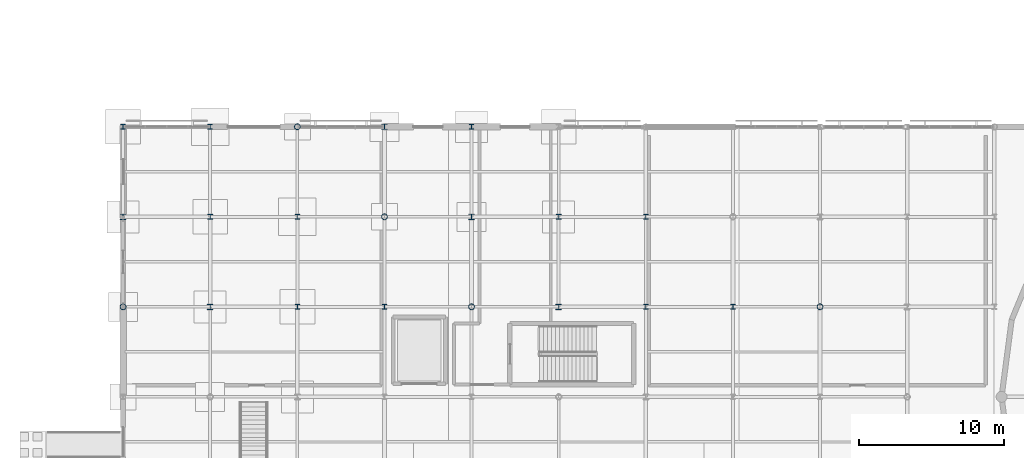
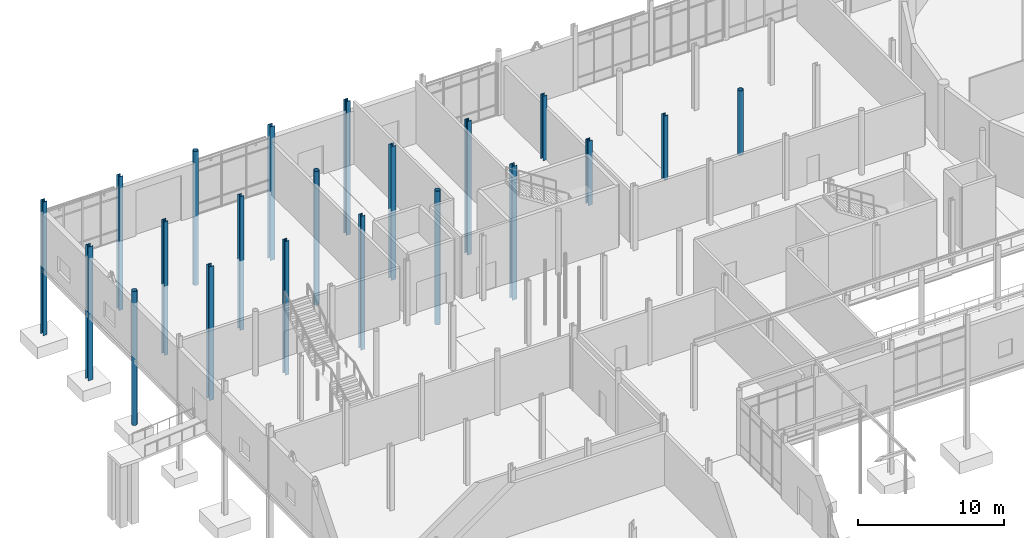
# One storey, part 15 of 98: 21 columns.
"""IFC4 building model written with IfcOpenShell, lengths in metres."""

import ifcopenshell
import ifcopenshell.guid

model = None  # the IFC model being written
_history = None  # IfcOwnerHistory: only IFC2X3 demands one
_inside = {}  # id of a spatial element -> (the spatial element, [elements in it])
_under = {}  # id of a project, library or spatial element -> (it, [spatial elements below it])
_declared = {}  # id of a project -> (the project, [libraries it declares])
_typed = {}  # id of a type object -> (the type object, [elements of that type])
_made_of = {}  # id of a material, layer set ... -> (it, [elements and type objects made of it])


def new_model(schema):
    """Start an empty IFC model of exactly this schema.

    Asked for "IFC4X3", IfcOpenShell would pick the latest addendum, in which some entities
    have other attributes; the version numbers below select the first issue.
    IFC2X3 requires an IfcOwnerHistory on every rooted entity: one is made here for all.
    """
    global model, _history
    if schema == "IFC4X3":
        model = ifcopenshell.file(schema_version=(4, 3, 0, 0))
    else:
        model = ifcopenshell.file(schema=schema)
    _inside.clear()
    _under.clear()
    _declared.clear()
    _typed.clear()
    _made_of.clear()
    _history = None
    if model.schema == "IFC2X3":
        org = make("IfcOrganization", Name="unknown")
        user = make(
            "IfcPersonAndOrganization",
            ThePerson=make("IfcPerson", FamilyName="unknown"),
            TheOrganization=org,
        )
        app = make(
            "IfcApplication",
            ApplicationDeveloper=org,
            Version="unknown",
            ApplicationFullName="unknown",
            ApplicationIdentifier="unknown",
        )
        _history = make(
            "IfcOwnerHistory",
            OwningUser=user,
            OwningApplication=app,
            ChangeAction="ADDED",
            CreationDate=0,
        )
    return model


def make(cls, **values):
    """One entity of the class cls with the attributes given. An attribute that is None is left unset."""
    return model.create_entity(
        cls, **{name: value for name, value in values.items() if value is not None}
    )


def rooted(cls, **values):
    """An entity with a GlobalId (a new one), such as an element, a storey or a relation."""
    return make(cls, GlobalId=ifcopenshell.guid.new(), OwnerHistory=_history, **values)


def si_unit(unit_type, name, prefix=None):
    """IfcSIUnit, for example si_unit("LENGTHUNIT", "METRE", prefix="MILLI")."""
    return make("IfcSIUnit", UnitType=unit_type, Prefix=prefix, Name=name)


def assignment(units):
    """IfcUnitAssignment: the units of a project."""
    return None if units is None else make("IfcUnitAssignment", Units=units)


def point(xyz):
    """IfcCartesianPoint."""
    return None if xyz is None else make("IfcCartesianPoint", Coordinates=xyz)


def direction(xyz):
    """IfcDirection."""
    return None if xyz is None else make("IfcDirection", DirectionRatios=xyz)


def frame(location, z_axis=None, x_axis=None):
    """IfcAxis2Placement3D, a coordinate frame: its origin and axes. An axis left out is left unset."""
    return make(
        "IfcAxis2Placement3D",
        Location=point(location),
        Axis=direction(z_axis),
        RefDirection=direction(x_axis),
    )


def frame_2d(location, x_axis=None):
    """IfcAxis2Placement2D, a coordinate frame in the plane: its origin and x axis."""
    return make(
        "IfcAxis2Placement2D", Location=point(location), RefDirection=direction(x_axis)
    )


def origin():
    """The frame at (0, 0, 0) with its axes left unset."""
    return frame((0.0, 0.0, 0.0))


def origin_2d():
    """The frame at (0, 0) in the plane with its x axis left unset."""
    return frame_2d((0.0, 0.0))


def place(relative_to, where):
    """IfcLocalPlacement: puts the frame where relative to a parent placement (None: the world)."""
    return make(
        "IfcLocalPlacement", PlacementRelTo=relative_to, RelativePlacement=where
    )


def context(
    kind, dimensions, precision=None, world=None, true_north=None, identifier=None
):
    """IfcGeometricRepresentationContext, for example the 3D "Model" context."""
    return make(
        "IfcGeometricRepresentationContext",
        ContextIdentifier=identifier,
        ContextType=kind,
        CoordinateSpaceDimension=dimensions,
        Precision=precision,
        WorldCoordinateSystem=world,
        TrueNorth=true_north,
    )


def subcontext(parent, identifier, kind, view, scale=None):
    """IfcGeometricRepresentationSubContext, for example "Body" below "Model"."""
    return make(
        "IfcGeometricRepresentationSubContext",
        ContextIdentifier=identifier,
        ContextType=kind,
        ParentContext=parent,
        TargetScale=scale,
        TargetView=view,
    )


def project(units=None, contexts=None):
    """IfcProject with its units and contexts."""
    return rooted(
        "IfcProject",
        Name="project",
        RepresentationContexts=contexts,
        UnitsInContext=assignment(units),
    )


def spatial(cls, under=None, at=None, **own):
    """A site, building, storey or space (cls), placed at a placement, below another one or the project."""
    s = rooted(cls, ObjectPlacement=at, **own)
    if under is not None:
        _under.setdefault(under.id(), (under, []))[1].append(s)
    return s


def profile(cls, at=None, kind="AREA", **sizes):
    """A parametric profile (cls). Its sizes go by their IFC names, for example OverallWidth=200.0."""
    return make(cls, ProfileType=kind, Position=at, **sizes)


def hollow_circle(**sizes):
    """IfcCircleHollowProfileDef."""
    return profile("IfcCircleHollowProfileDef", **sizes)


def i_section(**sizes):
    """IfcIShapeProfileDef."""
    return profile("IfcIShapeProfileDef", **sizes)


def extrude(swept, where, along, depth):
    """IfcExtrudedAreaSolid: the profile swept, set in the frame where, extruded along a direction by depth."""
    return make(
        "IfcExtrudedAreaSolid",
        SweptArea=swept,
        Position=where,
        ExtrudedDirection=direction(along),
        Depth=depth,
    )


def shape(context_of_items, identifier, shape_type, items):
    """IfcShapeRepresentation: the items that make up one representation, for example the "Body"."""
    return make(
        "IfcShapeRepresentation",
        ContextOfItems=context_of_items,
        RepresentationIdentifier=identifier,
        RepresentationType=shape_type,
        Items=items,
    )


def material(Name=None, Category=None):
    """IfcMaterial."""
    return make("IfcMaterial", Name=Name, Category=Category)


def material_profile(
    of_material, cross_section, Name=None, Category=None, Priority=None
):
    """IfcMaterialProfile: a cross section and its material."""
    return make(
        "IfcMaterialProfile",
        Name=Name,
        Material=of_material,
        Profile=cross_section,
        Priority=Priority,
        Category=Category,
    )


def profile_set(profiles, Name=None, composite=None):
    """IfcMaterialProfileSet."""
    return make(
        "IfcMaterialProfileSet",
        Name=Name,
        MaterialProfiles=profiles,
        CompositeProfile=composite,
    )


def made_of(thing, what):
    """Note that an element or type object is made of a material, layer set ...; save() writes the relation."""
    if what is not None:
        _made_of.setdefault(what.id(), (what, []))[1].append(thing)
    return thing


def type_object(cls, material=None, **own):
    """A type object (cls), such as IfcWallType, which elements share."""
    return made_of(rooted(cls, **own), material)


def element(
    cls,
    number,
    at=None,
    inside=None,
    cuts=None,
    type_object=None,
    material=None,
    context=None,
    identifier="Body",
    shape_type=None,
    held_by="IfcProductDefinitionShape",
    body=None,
    shapes=None,
    **own,
):
    """One element of the class cls, such as IfcWall. Its Tag is "e" and its number.

    at: its placement. inside: the storey or other place that contains it. cuts: it is an
    opening in that element (IfcRelVoidsElement). A single representation is given by context,
    identifier, shape_type and body (its items); several are given by shapes. held_by: the class
    of the entity that holds the representations. save() writes the other relations.
    """
    e = rooted(cls, Tag="e%d" % number, ObjectPlacement=at, **own)
    if body is not None:
        shapes = [shape(context, identifier, shape_type, body)]
    if shapes is not None:
        e.Representation = make(held_by, Representations=shapes)
    if inside is not None:
        _inside.setdefault(inside.id(), (inside, []))[1].append(e)
    if cuts is not None:
        rooted(
            "IfcRelVoidsElement", RelatingBuildingElement=cuts, RelatedOpeningElement=e
        )
    if type_object is not None:
        _typed.setdefault(type_object.id(), (type_object, []))[1].append(e)
    return made_of(e, material)


def aggregate(whole, parts):
    """IfcRelAggregates: a whole, such as a stair, and the parts it consists of."""
    return rooted("IfcRelAggregates", RelatingObject=whole, RelatedObjects=parts)


def save(model, path):
    """Write the relations noted so far, then the file.

    IfcRelAggregates (storeys below a building ...), IfcRelContainedInSpatialStructure (elements
    in a storey), IfcRelDefinesByType, IfcRelAssociatesMaterial and IfcRelDeclares: one each for
    every whole, place, type object, material and project.
    """
    for whole, parts in _under.values():
        aggregate(whole, parts)
    for where, things in _inside.values():
        rooted(
            "IfcRelContainedInSpatialStructure",
            RelatedElements=things,
            RelatingStructure=where,
        )
    for kind, things in _typed.values():
        rooted("IfcRelDefinesByType", RelatedObjects=things, RelatingType=kind)
    for what, things in _made_of.values():
        rooted("IfcRelAssociatesMaterial", RelatedObjects=things, RelatingMaterial=what)
    for by, libraries in _declared.values():
        rooted("IfcRelDeclares", RelatingContext=by, RelatedDefinitions=libraries)
    model.write(path)


model = new_model("IFC4")

# Units and contexts
model_context = context("Model", 3, precision=1e-05, world=origin(), true_north=direction((0.0, 1.0)))
body_context = subcontext(model_context, "Body", "Model", "MODEL_VIEW")
ifc_project = project(units=[si_unit("LENGTHUNIT", "METRE"), si_unit("AREAUNIT", "SQUARE_METRE"), si_unit("VOLUMEUNIT", "CUBIC_METRE"), si_unit("PLANEANGLEUNIT", "RADIAN"), si_unit("MASSUNIT", "GRAM", prefix="KILO")], contexts=[model_context])

# Site, building, storey
site_placement = place(None, origin())
site = spatial("IfcSite", under=ifc_project, at=site_placement, CompositionType="ELEMENT")
building_placement = place(site_placement, origin())
building = spatial("IfcBuilding", under=site, at=building_placement, Name="Mirzam Square Science Centre", CompositionType="ELEMENT")
storey_placement = place(building_placement, origin())
storey = spatial("IfcBuildingStorey", under=building, at=storey_placement, Name="L00", CompositionType="ELEMENT", Elevation=0.0)

# Columns
ifc_material = material(Name="Steel S355", Category="steel")
ifc_material_profile_1 = material_profile(ifc_material, hollow_circle(Radius=0.203125, WallThickness=0.01611328125, at=origin_2d()), Name="406.4x16.0CHS")
ifc_profile_set_1 = profile_set([ifc_material_profile_1], Name="Steel S355")
column_type_1 = type_object("IfcColumnType", Name="COL-CHS406", PredefinedType="COLUMN", material=ifc_profile_set_1)
for number, where, z_axis, x_axis, name in (
    (1, (0.0, 68.199951171875, -5.800048828125), (0.0, 0.0, 1.0), (1.0, 0.0, 0.0), "L00 column G01-12"),
    (2, (12.0, 80.60009765625, -5.800048828125), (0.0, 0.0, 1.0), (1.0, 0.0, 0.0), "L00 column G03-14"),
    (3, (18.0, 74.39990234375, -5.800048828125), (0.0, 0.0, 1.0), (1.0, 0.0, 0.0), "L00 column G04-13"),
    (4, (24.0, 68.199951171875, -5.800048828125), (0.0, 0.0, 1.0), (1.0, 0.0, 0.0), "L00 column G05-12"),
):
    element("IfcColumn", number, at=place(storey_placement, frame(where, z_axis=z_axis, x_axis=x_axis)), inside=storey, type_object=column_type_1, Name=name, PredefinedType="COLUMN", context=body_context, shape_type="SweptSolid", body=[
        extrude(hollow_circle(Radius=0.203125, WallThickness=0.01611328125, at=origin_2d()), origin(), (0.0, 0.0, 1.0), 11.199951171875),
    ])
column_1_placement = place(storey_placement, frame((48.0, 68.199951171875, 0.0), z_axis=(0.0, 0.0, 1.0), x_axis=(1.0, 0.0, 0.0)))
element("IfcColumn", 5, at=column_1_placement, inside=storey, type_object=column_type_1, Name="L00 column G09-12", PredefinedType="COLUMN", context=body_context, shape_type="SweptSolid", body=[
    extrude(hollow_circle(Radius=0.203125, WallThickness=0.01611328125, at=origin_2d()), origin(), (0.0, 0.0, 1.0), 5.39990234375),
])
ifc_material_profile_2 = material_profile(ifc_material, i_section(OverallWidth=0.314453125, OverallDepth=0.33984375, WebThickness=0.01904296875, FlangeThickness=0.031494140625, FilletRadius=0.01513671875, at=origin_2d()), Name="305x305x198UC")
ifc_profile_set_2 = profile_set([ifc_material_profile_2], Name="Steel S355")
column_type_2 = type_object("IfcColumnType", Name="COL-UC305B", PredefinedType="COLUMN", material=ifc_profile_set_2)
for number, where, z_axis, x_axis, name in (
    (6, (6.0, 80.60009765625, -5.800048828125), (0.0, 0.0, 1.0), (1.0, 0.0, 0.0), "L00 column G02-14"),
    (7, (12.0, 74.39990234375, -5.800048828125), (0.0, 0.0, 1.0), (1.0, 0.0, 0.0), "L00 column G03-13"),
    (8, (18.0, 68.199951171875, -5.800048828125), (0.0, 0.0, 1.0), (1.0, 0.0, 0.0), "L00 column G04-12"),
):
    element("IfcColumn", number, at=place(storey_placement, frame(where, z_axis=z_axis, x_axis=x_axis)), inside=storey, type_object=column_type_2, Name=name, PredefinedType="COLUMN", context=body_context, shape_type="SweptSolid", body=[
        extrude(i_section(OverallWidth=0.314453125, OverallDepth=0.33984375, WebThickness=0.01904296875, FlangeThickness=0.031494140625, FilletRadius=0.01513671875, at=origin_2d()), origin(), (0.0, 0.0, 1.0), 11.199951171875),
    ])
for number, where, z_axis, x_axis, name in (
    (9, (36.0, 74.39990234375, 0.0), (0.0, 0.0, 1.0), (1.0, 0.0, 0.0), "L00 column G07-13"),
    (10, (42.0, 68.199951171875, 0.0), (0.0, 0.0, 1.0), (1.0, 0.0, 0.0), "L00 column G08-12"),
):
    element("IfcColumn", number, at=place(storey_placement, frame(where, z_axis=z_axis, x_axis=x_axis)), inside=storey, type_object=column_type_2, Name=name, PredefinedType="COLUMN", context=body_context, shape_type="SweptSolid", body=[
        extrude(i_section(OverallWidth=0.314453125, OverallDepth=0.33984375, WebThickness=0.01904296875, FlangeThickness=0.031494140625, FilletRadius=0.01513671875, at=origin_2d()), origin(), (0.0, 0.0, 1.0), 5.39990234375),
    ])
ifc_material_profile_3 = material_profile(ifc_material, i_section(OverallWidth=0.318359375, OverallDepth=0.3525390625, WebThickness=0.02294921875, FlangeThickness=0.03759765625, FilletRadius=0.01513671875, at=origin_2d()), Name="305x305x240UC")
ifc_profile_set_3 = profile_set([ifc_material_profile_3], Name="Steel S355")
column_type_3 = type_object("IfcColumnType", Name="COL-UC305C", PredefinedType="COLUMN", material=ifc_profile_set_3)
for number, where, z_axis, x_axis, name in (
    (11, (0.0, 80.60009765625, -5.800048828125), (0.0, 0.0, 1.0), (1.0, 0.0, 0.0), "L00 column G01-14"),
    (12, (6.0, 74.39990234375, -5.800048828125), (0.0, 0.0, 1.0), (1.0, 0.0, 0.0), "L00 column G02-13"),
    (13, (12.0, 68.199951171875, -5.800048828125), (0.0, 0.0, 1.0), (1.0, 0.0, 0.0), "L00 column G03-12"),
    (14, (24.0, 80.60009765625, -5.800048828125), (0.0, 0.0, 1.0), (1.0, 0.0, 0.0), "L00 column G05-14"),
    (15, (30.0, 74.39990234375, -5.800048828125), (0.0, 0.0, 1.0), (1.0, 0.0, 0.0), "L00 column G06-13"),
):
    element("IfcColumn", number, at=place(storey_placement, frame(where, z_axis=z_axis, x_axis=x_axis)), inside=storey, type_object=column_type_3, Name=name, PredefinedType="COLUMN", context=body_context, shape_type="SweptSolid", body=[
        extrude(i_section(OverallWidth=0.318359375, OverallDepth=0.3525390625, WebThickness=0.02294921875, FlangeThickness=0.03759765625, FilletRadius=0.01513671875, at=origin_2d()), origin(), (0.0, 0.0, 1.0), 11.199951171875),
    ])
column_2_placement = place(storey_placement, frame((36.0, 68.199951171875, 0.0), z_axis=(0.0, 0.0, 1.0), x_axis=(1.0, 0.0, 0.0)))
element("IfcColumn", 16, at=column_2_placement, inside=storey, type_object=column_type_3, Name="L00 column G07-12", PredefinedType="COLUMN", context=body_context, shape_type="SweptSolid", body=[
    extrude(i_section(OverallWidth=0.318359375, OverallDepth=0.3525390625, WebThickness=0.02294921875, FlangeThickness=0.03759765625, FilletRadius=0.01513671875, at=origin_2d()), origin(), (0.0, 0.0, 1.0), 5.39990234375),
])
ifc_material_profile_4 = material_profile(ifc_material, i_section(OverallWidth=0.374755859375, OverallDepth=0.37451171875, WebThickness=0.0166015625, FlangeThickness=0.027099609375, FilletRadius=0.01513671875, at=origin_2d()), Name="356x368x202UC")
ifc_profile_set_4 = profile_set([ifc_material_profile_4], Name="Steel S355")
column_type_4 = type_object("IfcColumnType", Name="COL-UC356A", PredefinedType="COLUMN", material=ifc_profile_set_4)
for number, where, z_axis, x_axis, name in (
    (17, (0.0, 74.39990234375, -5.800048828125), (0.0, 0.0, 1.0), (1.0, 0.0, 0.0), "L00 column G01-13"),
    (18, (6.0, 68.199951171875, -5.800048828125), (0.0, 0.0, 1.0), (1.0, 0.0, 0.0), "L00 column G02-12"),
    (19, (18.0, 80.60009765625, -5.800048828125), (0.0, 0.0, 1.0), (1.0, 0.0, 0.0), "L00 column G04-14"),
    (20, (24.0, 74.39990234375, -5.800048828125), (0.0, 0.0, 1.0), (1.0, 0.0, 0.0), "L00 column G05-13"),
    (21, (30.0, 68.199951171875, -5.800048828125), (0.0, 0.0, 1.0), (1.0, 0.0, 0.0), "L00 column G06-12"),
):
    element("IfcColumn", number, at=place(storey_placement, frame(where, z_axis=z_axis, x_axis=x_axis)), inside=storey, type_object=column_type_4, Name=name, PredefinedType="COLUMN", context=body_context, shape_type="SweptSolid", body=[
        extrude(i_section(OverallWidth=0.374755859375, OverallDepth=0.37451171875, WebThickness=0.0166015625, FlangeThickness=0.027099609375, FilletRadius=0.01513671875, at=origin_2d()), origin(), (0.0, 0.0, 1.0), 11.199951171875),
    ])

save(model, "model.ifc")
